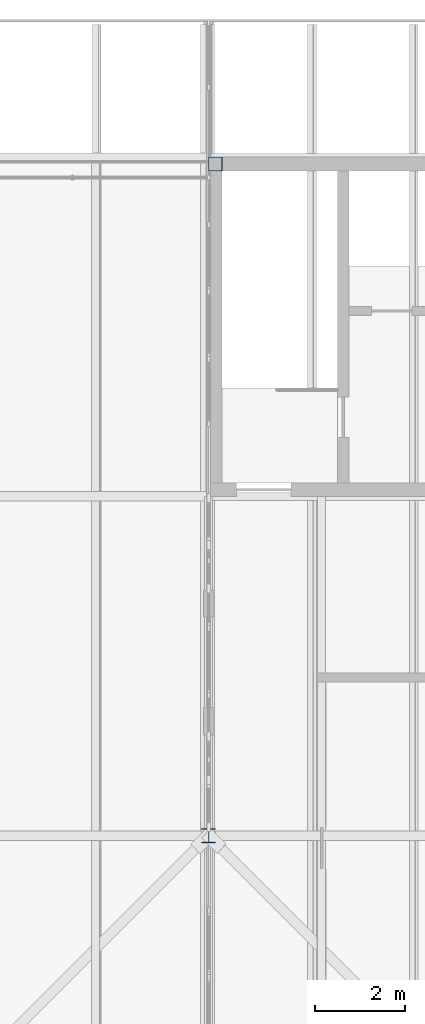
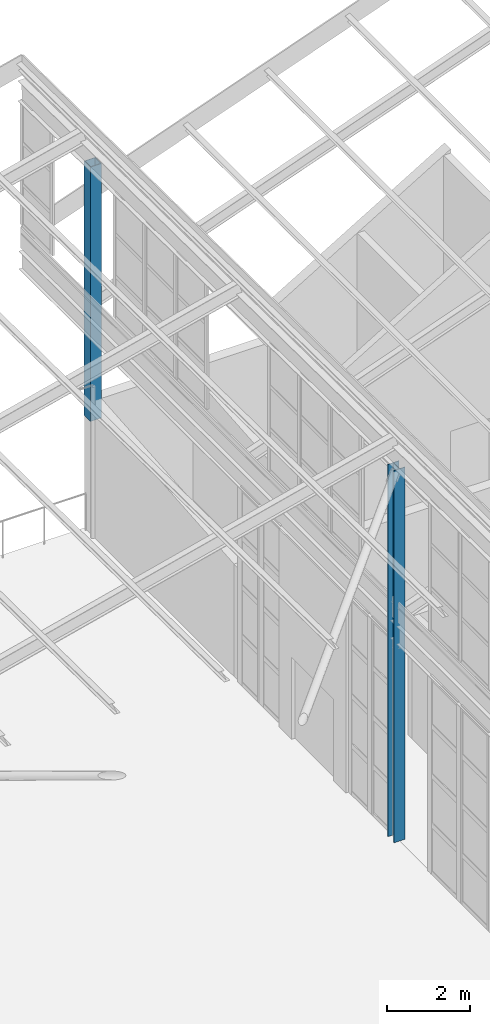
# One storey, part 7 of 483: 2 columns.
"""IFC4 building model written with IfcOpenShell, lengths in metres."""

from ifc_helpers import new_model, si_unit, direction, frame, origin, origin_2d, place, context, subcontext, project, spatial, hollow_rectangle, i_section, extrude, material, material_profile, profile_set, type_object, element, save


model = new_model("IFC4")

# Units and contexts
model_context = context("Model", 3, precision=1e-05, world=origin(), true_north=direction((0.0, 1.0)))
body_context = subcontext(model_context, "Body", "Model", "MODEL_VIEW")
ifc_project = project(units=[si_unit("LENGTHUNIT", "METRE"), si_unit("AREAUNIT", "SQUARE_METRE"), si_unit("VOLUMEUNIT", "CUBIC_METRE"), si_unit("PLANEANGLEUNIT", "RADIAN"), si_unit("MASSUNIT", "GRAM", prefix="KILO")], contexts=[model_context])

# Site, building, storey
site_placement = place(None, origin())
site = spatial("IfcSite", under=ifc_project, at=site_placement, CompositionType="ELEMENT")
building_placement = place(site_placement, origin())
building = spatial("IfcBuilding", under=site, at=building_placement, Name="Parallax Yard Mobility Hub", CompositionType="ELEMENT")
storey_placement = place(building_placement, frame((0.0, 0.0, 13.199951171875)))
storey = spatial("IfcBuildingStorey", under=building, at=storey_placement, Name="L04", CompositionType="ELEMENT", Elevation=13.199951171875)

# Columns
ifc_material_1 = material(Name="Steel ASTM A500 Gr C", Category="steel")
ifc_material_profile_1 = material_profile(ifc_material_1, hollow_rectangle(XDim=0.3046875, YDim=0.3046875, WallThickness=0.0126953125, at=origin_2d()), Name="HSS305x305x12.7")
ifc_profile_set_1 = profile_set([ifc_material_profile_1], Name="Steel ASTM A500 Gr C")
column_type_1 = type_object("IfcColumnType", Name="Roof column HSS305x305x12.7", PredefinedType="COLUMN", material=ifc_profile_set_1)
column_1_placement = place(storey_placement, frame((127.64990234375, 52.35009765625, 3.300048828125), z_axis=(0.0, 0.0, 1.0), x_axis=(1.0, 0.0, 0.0)))
element("IfcColumn", 1, at=column_1_placement, inside=storey, type_object=column_type_1, Name="Roof post on core roof at x 127.5", PredefinedType="COLUMN", context=body_context, shape_type="SweptSolid", body=[
    extrude(hollow_rectangle(XDim=0.3046875, YDim=0.3046875, WallThickness=0.0126953125, at=origin_2d()), origin(), (0.0, 0.0, 1.0), 7.469970703125),
])
ifc_material_2 = material(Name="Steel ASTM A992", Category="steel")
ifc_material_profile_2 = material_profile(ifc_material_2, i_section(OverallWidth=0.306884765625, OverallDepth=0.318115234375, WebThickness=0.01318359375, FlangeThickness=0.0205078125, FilletRadius=0.01513671875, at=origin_2d()), Name="W310x129")
ifc_profile_set_2 = profile_set([ifc_material_profile_2], Name="Steel ASTM A992")
column_type_2 = type_object("IfcColumnType", Name="W310x129 column", PredefinedType="COLUMN", material=ifc_profile_set_2)
column_2_placement = place(storey_placement, frame((127.5, 37.5, 0.0), z_axis=(0.0, 0.0, 1.0), x_axis=(1.0, 0.0, 0.0)))
element("IfcColumn", 2, at=column_2_placement, inside=storey, type_object=column_type_2, Name="Roof column F/18 level L04", PredefinedType="COLUMN", context=body_context, shape_type="SweptSolid", body=[
    extrude(i_section(OverallWidth=0.306884765625, OverallDepth=0.318115234375, WebThickness=0.01318359375, FlangeThickness=0.0205078125, FilletRadius=0.01513671875, at=origin_2d()), origin(), (0.0, 0.0, 1.0), 10.920166015625),
])

save(model, "model.ifc")
